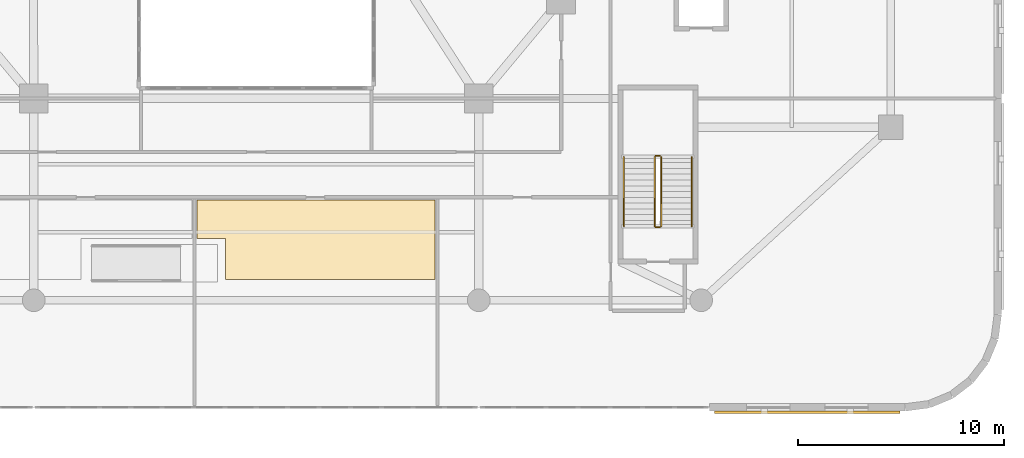
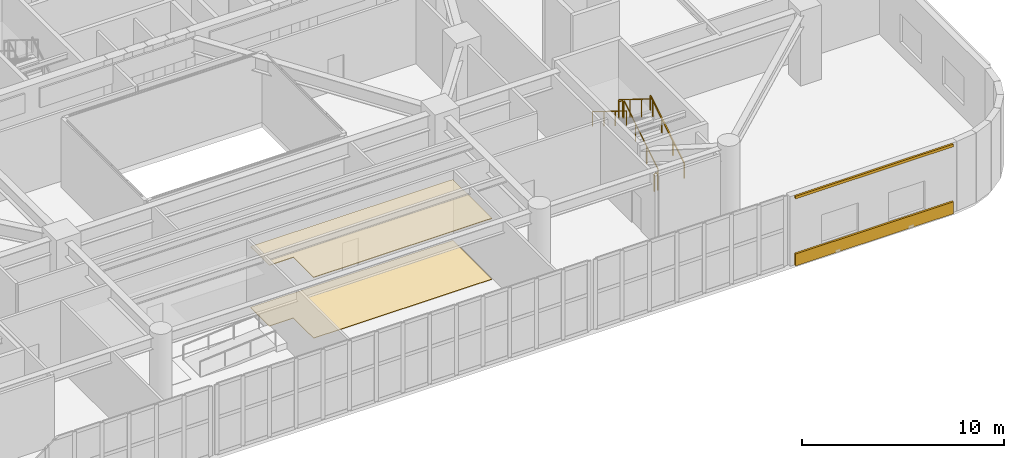
# One storey, part 21 of 25: 6 railings, 4 coverings.
"""IFC4 building model written with IfcOpenShell, lengths in metres."""

from ifc_helpers import new_model, si_unit, direction, frame, origin, origin_2d, place, context, subcontext, project, spatial, polyline, rectangle, outline, extrude, material, layer, layer_set, type_object, element, save


model = new_model("IFC4")

# Units and contexts
model_context = context("Model", 3, precision=1e-05, world=origin(), true_north=direction((0.0, 1.0)))
body_context = subcontext(model_context, "Body", "Model", "MODEL_VIEW")
ifc_project = project(units=[si_unit("LENGTHUNIT", "METRE"), si_unit("AREAUNIT", "SQUARE_METRE"), si_unit("VOLUMEUNIT", "CUBIC_METRE"), si_unit("PLANEANGLEUNIT", "RADIAN"), si_unit("MASSUNIT", "GRAM", prefix="KILO")], contexts=[model_context])

# Site, building, storey
site_placement = place(None, origin())
site = spatial("IfcSite", under=ifc_project, at=site_placement, CompositionType="ELEMENT")
building_placement = place(site_placement, origin())
building = spatial("IfcBuilding", under=site, at=building_placement, Name="Haldorwick Loom Tower", CompositionType="ELEMENT")
storey_placement = place(building_placement, frame((0.0, 0.0, 6.0)))
storey = spatial("IfcBuildingStorey", under=building, at=storey_placement, Name="L01", CompositionType="ELEMENT", Elevation=6.0)

# Coverings
ifc_material_1 = material(Name="Corbelled Pressed Clay Face Brick Veneer", Category="masonry")
ifc_layer_1 = layer(ifc_material_1, 0.110107421875, Name="Corbelled Pressed Clay Face Brick Veneer", Category="masonry")
ifc_layer_set_1 = layer_set([ifc_layer_1], Name="Corbelled Pressed Clay Face Brick Veneer")
covering_type_1 = type_object("IfcCoveringType", Name="ARC-COV-BRICK110", PredefinedType="CLADDING", material=ifc_layer_set_1)
covering_1_placement = place(storey_placement, origin())
element("IfcCovering", 1, at=covering_1_placement, inside=storey, type_object=covering_type_1, Name="L01 Sill Face-Brick Spandrel 42", PredefinedType="CLADDING", context=body_context, shape_type="SweptSolid", body=[
    extrude(outline(polyline([(58.25, -0.2900390625), (67.25, -0.2900390625), (67.25, -0.179931640625), (58.25, -0.179931640625), (58.25, -0.2900390625)])), origin(), (0.0, 0.0, 1.0), 0.719970703125),
])
covering_2_placement = place(storey_placement, frame((0.0, 0.0, 4.0400390625)))
element("IfcCovering", 2, at=covering_2_placement, inside=storey, type_object=covering_type_1, Name="L01 Head Face-Brick Lintel Band 42", PredefinedType="CLADDING", context=body_context, shape_type="SweptSolid", body=[
    extrude(outline(polyline([(58.25, -0.2900390625), (67.25, -0.2900390625), (67.25, -0.179931640625), (58.25, -0.179931640625), (58.25, -0.2900390625)])), origin(), (0.0, 0.0, 1.0), 0.159912109375),
])
ifc_material_2 = material(Name="Mineral Fibre Acoustic Ceiling Tile")
ifc_layer_2 = layer(ifc_material_2, 0.0400390625, Name="Mineral Fibre Acoustic Ceiling Tile")
ifc_layer_set_2 = layer_set([ifc_layer_2], Name="Mineral Fibre Acoustic Ceiling Tile")
covering_type_2 = type_object("IfcCoveringType", Name="ARC-COV-CEIL", PredefinedType="CEILING", material=ifc_layer_set_2)
covering_3_placement = place(storey_placement, frame((0.0, 0.0, 3.659912109375)))
element("IfcCovering", 3, at=covering_3_placement, inside=storey, type_object=covering_type_2, Name="L01 Acoustic Suspended Ceiling 2", PredefinedType="CEILING", context=body_context, shape_type="SweptSolid", body=[
    extrude(outline(polyline([(34.5, 6.199951171875), (44.669921875, 6.199951171875), (44.669921875, 10.06005859375), (33.1298828125, 10.06005859375), (33.1298828125, 8.199951171875), (34.5, 8.199951171875), (34.5, 6.199951171875)])), origin(), (0.0, 0.0, 1.0), 0.0400390625),
])
ifc_material_3 = material(Name="Polished Aggregate Terrazzo Finish")
ifc_layer_3 = layer(ifc_material_3, 0.030029296875, Name="Polished Aggregate Terrazzo Finish")
ifc_layer_set_3 = layer_set([ifc_layer_3], Name="Polished Aggregate Terrazzo Finish")
covering_type_3 = type_object("IfcCoveringType", Name="ARC-COV-FLOOR", PredefinedType="FLOORING", material=ifc_layer_set_3)
covering_4_placement = place(storey_placement, origin())
element("IfcCovering", 4, at=covering_4_placement, inside=storey, type_object=covering_type_3, Name="L01 Floor Finish 2", PredefinedType="FLOORING", context=body_context, shape_type="SweptSolid", body=[
    extrude(outline(polyline([(34.5, 6.199951171875), (44.669921875, 6.199951171875), (44.669921875, 10.06005859375), (33.1298828125, 10.06005859375), (33.1298828125, 8.199951171875), (34.5, 8.199951171875), (34.5, 6.199951171875)])), origin(), (0.0, 0.0, 1.0), 0.030029296875),
])

# Railings
ifc_material_4 = material(Name="Steel CSA G40.21 350W", Category="steel")
railing_type_1 = type_object("IfcRailingType", Name="ARC-RLG-GUARD112", PredefinedType="GUARDRAIL", material=ifc_material_4)
railing_1_placement = place(storey_placement, frame((55.64990234375, 8.800048828125, 0.173095703125)))
element("IfcRailing", 5, at=railing_1_placement, inside=storey, type_object=railing_type_1, Name="L01 ST-P2 stair guard 1", PredefinedType="GUARDRAIL", context=body_context, shape_type="SweptSolid", body=[
    extrude(rectangle(XDim=0.048095703125, YDim=0.048095703125, at=origin_2d()), frame((0.0, 0.0, 1.076171875), z_axis=(0.0, 0.850606129759, 0.525803396734), x_axis=(-1.0, 0.0, 0.0)), (0.0, 0.0, 1.0), 3.949951171875),
    extrude(rectangle(XDim=0.0419921875, YDim=0.0419921875, at=origin_2d()), origin(), (0.0, 0.0, 1.0), 1.052001953125),
    extrude(rectangle(XDim=0.0419921875, YDim=0.0419921875, at=origin_2d()), frame((0.0, 1.119873046875, 0.6923828125)), (0.0, 0.0, 1.0), 1.052001953125),
    extrude(rectangle(XDim=0.0419921875, YDim=0.0419921875, at=origin_2d()), frame((0.0, 2.239990234375, 1.384521484375)), (0.0, 0.0, 1.0), 1.052001953125),
    extrude(rectangle(XDim=0.0419921875, YDim=0.0419921875, at=origin_2d()), frame((0.0, 3.35986328125, 2.076904296875)), (0.0, 0.0, 1.0), 1.052001953125),
])
railing_2_placement = place(storey_placement, frame((55.60009765625, 12.2099609375, 2.25)))
element("IfcRailing", 6, at=railing_2_placement, inside=storey, type_object=railing_type_1, Name="L01 ST-P2 stair guard 2", PredefinedType="GUARDRAIL", context=body_context, shape_type="SweptSolid", body=[
    extrude(rectangle(XDim=0.048095703125, YDim=0.048095703125, at=origin_2d()), frame((0.0, 0.0, 1.076171875), z_axis=(-1.0, 0.0, 0.0), x_axis=(0.0, -1.0, 0.0)), (0.0, 0.0, 1.0), 0.2001953125),
    extrude(rectangle(XDim=0.0419921875, YDim=0.0419921875, at=origin_2d()), origin(), (0.0, 0.0, 1.0), 1.052001953125),
    extrude(rectangle(XDim=0.0419921875, YDim=0.0419921875, at=origin_2d()), frame((-0.2001953125, 0.0, 0.0)), (0.0, 0.0, 1.0), 1.052001953125),
])
railing_3_placement = place(storey_placement, frame((55.35009765625, 12.159912109375, 2.423095703125)))
element("IfcRailing", 7, at=railing_3_placement, inside=storey, type_object=railing_type_1, Name="L01 ST-P2 stair guard 3", PredefinedType="GUARDRAIL", context=body_context, shape_type="SweptSolid", body=[
    extrude(rectangle(XDim=0.048095703125, YDim=0.048095703125, at=origin_2d()), frame((0.0, 0.0, 1.076171875), z_axis=(0.0, -0.850606129759, 0.525803396734), x_axis=(1.0, 0.0, 0.0)), (0.0, 0.0, 1.0), 3.949951171875),
    extrude(rectangle(XDim=0.0419921875, YDim=0.0419921875, at=origin_2d()), origin(), (0.0, 0.0, 1.0), 1.052001953125),
    extrude(rectangle(XDim=0.0419921875, YDim=0.0419921875, at=origin_2d()), frame((0.0, -1.119873046875, 0.6923828125)), (0.0, 0.0, 1.0), 1.052001953125),
    extrude(rectangle(XDim=0.0419921875, YDim=0.0419921875, at=origin_2d()), frame((0.0, -2.239990234375, 1.384521484375)), (0.0, 0.0, 1.0), 1.052001953125),
    extrude(rectangle(XDim=0.0419921875, YDim=0.0419921875, at=origin_2d()), frame((0.0, -3.35986328125, 2.076904296875)), (0.0, 0.0, 1.0), 1.052001953125),
])
railing_4_placement = place(storey_placement, frame((55.60009765625, 8.75, 0.0)))
element("IfcRailing", 8, at=railing_4_placement, inside=storey, type_object=railing_type_1, Name="L01 ST-P2 stair guard 4", PredefinedType="GUARDRAIL", context=body_context, shape_type="SweptSolid", body=[
    extrude(rectangle(XDim=0.048095703125, YDim=0.048095703125, at=origin_2d()), frame((0.0, 0.0, 1.076171875), z_axis=(-1.0, 0.0, 0.0), x_axis=(0.0, -1.0, 0.0)), (0.0, 0.0, 1.0), 0.2001953125),
    extrude(rectangle(XDim=0.0419921875, YDim=0.0419921875, at=origin_2d()), origin(), (0.0, 0.0, 1.0), 1.052001953125),
    extrude(rectangle(XDim=0.0419921875, YDim=0.0419921875, at=origin_2d()), frame((-0.2001953125, 0.0, 0.0)), (0.0, 0.0, 1.0), 1.052001953125),
])
railing_type_2 = type_object("IfcRailingType", Name="ARC-RLG-HAND092", PredefinedType="HANDRAIL", material=ifc_material_4)
railing_5_placement = place(storey_placement, frame((57.14990234375, 8.800048828125, 0.173095703125)))
element("IfcRailing", 9, at=railing_5_placement, inside=storey, type_object=railing_type_2, Name="L01 ST-P2 stair handrail 1", PredefinedType="HANDRAIL", context=body_context, shape_type="SweptSolid", body=[
    extrude(rectangle(XDim=0.048095703125, YDim=0.048095703125, at=origin_2d()), frame((0.0, 0.0, 0.8759765625), z_axis=(0.0, 0.850606129759, 0.525803396734), x_axis=(-1.0, 0.0, 0.0)), (0.0, 0.0, 1.0), 3.949951171875),
    extrude(rectangle(XDim=0.0419921875, YDim=0.0419921875, at=origin_2d()), origin(), (0.0, 0.0, 1.0), 0.851806640625),
    extrude(rectangle(XDim=0.0419921875, YDim=0.0419921875, at=origin_2d()), frame((0.0, 1.119873046875, 0.6923828125)), (0.0, 0.0, 1.0), 0.851806640625),
    extrude(rectangle(XDim=0.0419921875, YDim=0.0419921875, at=origin_2d()), frame((0.0, 2.239990234375, 1.384521484375)), (0.0, 0.0, 1.0), 0.851806640625),
    extrude(rectangle(XDim=0.0419921875, YDim=0.0419921875, at=origin_2d()), frame((0.0, 3.35986328125, 2.076904296875)), (0.0, 0.0, 1.0), 0.851806640625),
])
railing_6_placement = place(storey_placement, frame((53.85009765625, 12.159912109375, 2.423095703125)))
element("IfcRailing", 10, at=railing_6_placement, inside=storey, type_object=railing_type_2, Name="L01 ST-P2 stair handrail 2", PredefinedType="HANDRAIL", context=body_context, shape_type="SweptSolid", body=[
    extrude(rectangle(XDim=0.048095703125, YDim=0.048095703125, at=origin_2d()), frame((0.0, 0.0, 0.8759765625), z_axis=(0.0, -0.850606129759, 0.525803396734), x_axis=(1.0, 0.0, 0.0)), (0.0, 0.0, 1.0), 3.949951171875),
    extrude(rectangle(XDim=0.0419921875, YDim=0.0419921875, at=origin_2d()), origin(), (0.0, 0.0, 1.0), 0.851806640625),
    extrude(rectangle(XDim=0.0419921875, YDim=0.0419921875, at=origin_2d()), frame((0.0, -1.119873046875, 0.6923828125)), (0.0, 0.0, 1.0), 0.851806640625),
    extrude(rectangle(XDim=0.0419921875, YDim=0.0419921875, at=origin_2d()), frame((0.0, -2.239990234375, 1.384521484375)), (0.0, 0.0, 1.0), 0.851806640625),
    extrude(rectangle(XDim=0.0419921875, YDim=0.0419921875, at=origin_2d()), frame((0.0, -3.35986328125, 2.076904296875)), (0.0, 0.0, 1.0), 0.851806640625),
])

save(model, "model.ifc")
